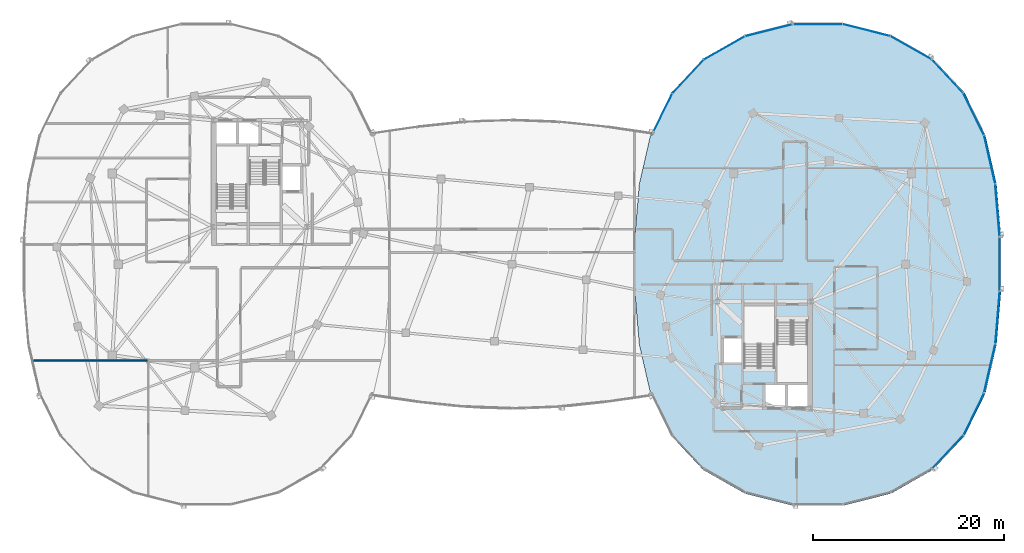
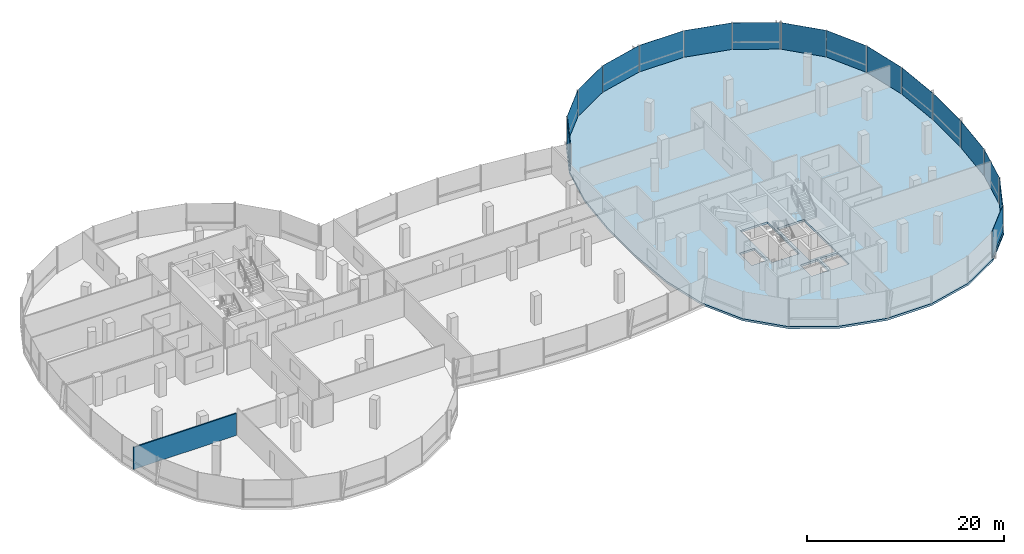
# One storey, part 13 of 25: 16 plates, 1 slab, 1 wall, 3 elements without a shape of their own.
"""IFC4 building model written with IfcOpenShell, lengths in metres."""

from ifc_helpers import new_model, si_unit, direction, frame, frame_2d, origin, origin_2d, place, context, subcontext, project, spatial, polyline, rectangle, outline, extrude, material, layer, layer_set, type_object, element, aggregate, save


model = new_model("IFC4")

# Units and contexts
model_context = context("Model", 3, precision=1e-05, world=origin(), true_north=direction((0.0, 1.0)))
body_context = subcontext(model_context, "Body", "Model", "MODEL_VIEW")
ifc_project = project(units=[si_unit("LENGTHUNIT", "METRE"), si_unit("AREAUNIT", "SQUARE_METRE"), si_unit("VOLUMEUNIT", "CUBIC_METRE"), si_unit("PLANEANGLEUNIT", "RADIAN"), si_unit("MASSUNIT", "GRAM", prefix="KILO"), si_unit("THERMODYNAMICTEMPERATUREUNIT", "KELVIN"), si_unit("POWERUNIT", "WATT")], contexts=[model_context])

# Site, building, storey
site_placement = place(None, origin())
site = spatial("IfcSite", under=ifc_project, at=site_placement, CompositionType="ELEMENT")
building_placement = place(site_placement, origin())
building = spatial("IfcBuilding", under=site, at=building_placement, Name="Cundina Bronze Exchange", CompositionType="ELEMENT")
storey_placement = place(building_placement, frame((0.0, 0.0, 257.60009765625)))
storey = spatial("IfcBuildingStorey", under=building, at=storey_placement, Name="L68", CompositionType="ELEMENT", Elevation=257.60009765625)

# Curtain wall, plates
ifc_material_1 = material(Name="Anodised Bronze Aluminium 6063-T6", Category="aluminium")
curtain_wall_type = type_object("IfcCurtainWallType", Name="CWS-SKG-BRG", PredefinedType="NOTDEFINED", material=ifc_material_1)
curtain_wall_1_placement = place(storey_placement, origin())
curtain_wall_1 = element("IfcCurtainWall", 1, at=curtain_wall_1_placement, inside=storey, type_object=curtain_wall_type, Name="L68 CW-06 Curtain Wall Run CWR-L68-E1", PredefinedType="NOTDEFINED")
ifc_material_2 = material(Name="Heat-Strengthened Solar-Control Bronze Safety Glass 28mm", Category="glass")
ifc_layer_1 = layer(ifc_material_2, 0.028076171875, Name="Heat-Strengthened Solar-Control Bronze Safety Glass 28mm", Category="glass")
ifc_layer_set_1 = layer_set([ifc_layer_1], Name="Heat-Strengthened Solar-Control Bronze Safety Glass 28mm")
plate_type_1 = type_object("IfcPlateType", Name="PLT-GLZ-VIS28", PredefinedType="CURTAIN_PANEL", material=ifc_layer_set_1)
plate_1_placement = place(storey_placement, frame((50.78662109375, 5.605712890625, 0.02001953125), z_axis=(0.0, 0.0, 1.0), x_axis=(-0.083747411454, 0.996487015006, 0.0)))
plate_1 = element("IfcPlate", 2, at=plate_1_placement, type_object=plate_type_1, Name="CW-06 Glazed Panel 1", PredefinedType="CURTAIN_PANEL", context=body_context, shape_type="SweptSolid", body=[
    extrude(rectangle(XDim=5.474609375, YDim=0.028076171875, at=origin_2d()), origin(), (0.0, 0.0, 1.0), 3.300048828125),
])
plate_2_placement = place(storey_placement, frame((48.30126953125, 15.68017578125, 0.02001953125), z_axis=(0.0, 0.0, 1.0), x_axis=(-0.440503330345, 0.897750976582, 0.0)))
plate_2 = element("IfcPlate", 3, at=plate_2_placement, type_object=plate_type_1, Name="CW-06 Glazed Panel 3", PredefinedType="CURTAIN_PANEL", context=body_context, shape_type="SweptSolid", body=[
    extrude(rectangle(XDim=4.863525390625, YDim=0.028076171875, at=origin_2d()), origin(), (0.0, 0.0, 1.0), 3.300048828125),
])
plate_3_placement = place(storey_placement, frame((45.568115234375, 19.64501953125, 0.02001953125), z_axis=(0.0, 0.0, 1.0), x_axis=(-0.684343512797, 0.72915976061, 0.0)))
plate_3 = element("IfcPlate", 4, at=plate_3_placement, type_object=plate_type_1, Name="CW-06 Glazed Panel 4", PredefinedType="CURTAIN_PANEL", context=body_context, shape_type="SweptSolid", body=[
    extrude(rectangle(XDim=4.773193359375, YDim=0.028076171875, at=origin_2d()), origin(), (0.0, 0.0, 1.0), 3.300048828125),
])
plate_4_placement = place(storey_placement, frame((41.76171875, 22.6279296875, 0.02001953125), z_axis=(0.0, 0.0, 1.0), x_axis=(-0.869572506985, 0.493805280547, 0.0)))
plate_4 = element("IfcPlate", 5, at=plate_4_placement, type_object=plate_type_1, Name="CW-06 Glazed Panel 5", PredefinedType="CURTAIN_PANEL", context=body_context, shape_type="SweptSolid", body=[
    extrude(rectangle(XDim=4.907958984375, YDim=0.028076171875, at=origin_2d()), origin(), (0.0, 0.0, 1.0), 3.300048828125),
])
plate_5_placement = place(storey_placement, frame((37.109375, 24.4814453125, 0.02001953125), z_axis=(0.0, 0.0, 1.0), x_axis=(-0.969731542251, 0.244173577528, 0.0)))
plate_5 = element("IfcPlate", 6, at=plate_5_placement, type_object=plate_type_1, Name="CW-06 Glazed Panel 6", PredefinedType="CURTAIN_PANEL", context=body_context, shape_type="SweptSolid", body=[
    extrude(rectangle(XDim=5.0908203125, YDim=0.028076171875, at=origin_2d()), origin(), (0.0, 0.0, 1.0), 3.300048828125),
])

curtain_wall_2_placement = place(storey_placement, origin())
curtain_wall_2 = element("IfcCurtainWall", 7, at=curtain_wall_2_placement, inside=storey, type_object=curtain_wall_type, Name="L68 CW-06 Curtain Wall Run CWR-L68-E2", PredefinedType="NOTDEFINED")
plate_6_placement = place(storey_placement, frame((22.23828125, 22.6279296875, 0.02001953125), z_axis=(0.0, 0.0, 1.0), x_axis=(-0.869572506985, -0.493805280547, 0.0)))
plate_6 = element("IfcPlate", 8, at=plate_6_placement, type_object=plate_type_1, Name="CW-06 Glazed Panel 2", PredefinedType="CURTAIN_PANEL", context=body_context, shape_type="SweptSolid", body=[
    extrude(rectangle(XDim=4.907958984375, YDim=0.028076171875, at=origin_2d()), origin(), (0.0, 0.0, 1.0), 3.300048828125),
])
plate_7_placement = place(storey_placement, frame((18.431884765625, 19.64501953125, 0.02001953125), z_axis=(0.0, 0.0, 1.0), x_axis=(-0.684343512797, -0.72915976061, 0.0)))
plate_7 = element("IfcPlate", 9, at=plate_7_placement, type_object=plate_type_1, Name="CW-06 Glazed Panel 3", PredefinedType="CURTAIN_PANEL", context=body_context, shape_type="SweptSolid", body=[
    extrude(rectangle(XDim=4.773193359375, YDim=0.028076171875, at=origin_2d()), origin(), (0.0, 0.0, 1.0), 3.300048828125),
])
plate_8_placement = place(storey_placement, frame((15.69873046875, 15.68017578125, 0.02001953125), z_axis=(0.0, 0.0, 1.0), x_axis=(-0.440503330345, -0.897750976582, 0.0)))
plate_8 = element("IfcPlate", 10, at=plate_8_placement, type_object=plate_type_1, Name="CW-06 Glazed Panel 4", PredefinedType="CURTAIN_PANEL", context=body_context, shape_type="SweptSolid", body=[
    extrude(rectangle(XDim=4.863525390625, YDim=0.028076171875, at=origin_2d()), origin(), (0.0, 0.0, 1.0), 3.300048828125),
])

curtain_wall_3_placement = place(storey_placement, origin())
curtain_wall_3 = element("IfcCurtainWall", 11, at=curtain_wall_3_placement, inside=storey, type_object=curtain_wall_type, Name="L68 CW-06 Curtain Wall Run CWR-L68-E4", PredefinedType="NOTDEFINED")
plate_9_placement = place(storey_placement, frame((45.568115234375, -19.64501953125, 0.02001953125), z_axis=(0.0, 0.0, 1.0), x_axis=(0.684343512797, 0.72915976061, 0.0)))
plate_9 = element("IfcPlate", 12, at=plate_9_placement, type_object=plate_type_1, Name="CW-06 Glazed Panel 1", PredefinedType="CURTAIN_PANEL", context=body_context, shape_type="SweptSolid", body=[
    extrude(rectangle(XDim=4.773193359375, YDim=0.028076171875, at=origin_2d()), origin(), (0.0, 0.0, 1.0), 3.300048828125),
])
plate_10_placement = place(storey_placement, frame((48.30126953125, -15.68017578125, 0.02001953125), z_axis=(0.0, 0.0, 1.0), x_axis=(0.440503330345, 0.897750976582, 0.0)))
plate_10 = element("IfcPlate", 13, at=plate_10_placement, type_object=plate_type_1, Name="CW-06 Glazed Panel 2", PredefinedType="CURTAIN_PANEL", context=body_context, shape_type="SweptSolid", body=[
    extrude(rectangle(XDim=4.863525390625, YDim=0.028076171875, at=origin_2d()), origin(), (0.0, 0.0, 1.0), 3.300048828125),
])
plate_11_placement = place(storey_placement, frame((49.96923828125, -10.922607421875, 0.02001953125), z_axis=(0.0, 0.0, 1.0), x_axis=(0.223284141459, 0.974753400698, 0.0)))
plate_11 = element("IfcPlate", 14, at=plate_11_placement, type_object=plate_type_1, Name="CW-06 Glazed Panel 3", PredefinedType="CURTAIN_PANEL", context=body_context, shape_type="SweptSolid", body=[
    extrude(rectangle(XDim=5.167724609375, YDim=0.028076171875, at=origin_2d()), origin(), (0.0, 0.0, 1.0), 3.300048828125),
])
plate_12_placement = place(storey_placement, frame((51.01904296875, 0.0, 0.02001953125), z_axis=(0.0, 0.0, 1.0), x_axis=(0.0, 1.0, 0.0)))
plate_12 = element("IfcPlate", 15, at=plate_12_placement, type_object=plate_type_1, Name="CW-06 Glazed Panel 5", PredefinedType="CURTAIN_PANEL", context=body_context, shape_type="SweptSolid", body=[
    extrude(rectangle(XDim=5.597900390625, YDim=0.028076171875, at=origin_2d()), origin(), (0.0, 0.0, 1.0), 3.300048828125),
])

# Plate
ifc_material_3 = material(Name="Dark Bronze Spandrel Glass Panel 32mm", Category="glass")
ifc_layer_2 = layer(ifc_material_3, 0.031982421875, Name="Dark Bronze Spandrel Glass Panel 32mm", Category="glass")
ifc_layer_set_2 = layer_set([ifc_layer_2], Name="Dark Bronze Spandrel Glass Panel 32mm")
plate_type_2 = type_object("IfcPlateType", Name="PLT-SPN-BRZ32", PredefinedType="CURTAIN_PANEL", material=ifc_layer_set_2)
plate_13_placement = place(storey_placement, frame((49.96923828125, 10.922607421875, 0.02001953125), z_axis=(0.0, 0.0, 1.0), x_axis=(-0.223284141459, 0.974753400698, 0.0)))
plate_13 = element("IfcPlate", 16, at=plate_13_placement, type_object=plate_type_2, Name="CW-06 Glazed Panel 2", PredefinedType="CURTAIN_PANEL", context=body_context, shape_type="SweptSolid", body=[
    extrude(rectangle(XDim=5.167724609375, YDim=0.031982421875, at=origin_2d()), origin(), (0.0, 0.0, 1.0), 3.300048828125),
])

plate_14_placement = place(storey_placement, frame((32.0, 25.110107421875, 0.02001953125), z_axis=(0.0, 0.0, 1.0), x_axis=(-1.0, 0.0, 0.0)))
plate_14 = element("IfcPlate", 17, at=plate_14_placement, type_object=plate_type_2, Name="CW-06 Glazed Panel 7", PredefinedType="CURTAIN_PANEL", context=body_context, shape_type="SweptSolid", body=[
    extrude(rectangle(XDim=5.16796875, YDim=0.031982421875, at=origin_2d()), origin(), (0.0, 0.0, 1.0), 3.300048828125),
])

aggregate(curtain_wall_1, [plate_1, plate_13, plate_2, plate_3, plate_4, plate_5, plate_14])

plate_15_placement = place(storey_placement, frame((26.890625, 24.4814453125, 0.02001953125), z_axis=(0.0, 0.0, 1.0), x_axis=(-0.969731542251, -0.244173577528, 0.0)))
plate_15 = element("IfcPlate", 18, at=plate_15_placement, type_object=plate_type_2, Name="CW-06 Glazed Panel 1", PredefinedType="CURTAIN_PANEL", context=body_context, shape_type="SweptSolid", body=[
    extrude(rectangle(XDim=5.0908203125, YDim=0.031982421875, at=origin_2d()), origin(), (0.0, 0.0, 1.0), 3.300048828125),
])

aggregate(curtain_wall_2, [plate_15, plate_6, plate_7, plate_8])

plate_16_placement = place(storey_placement, frame((50.78662109375, -5.605712890625, 0.02001953125), z_axis=(0.0, 0.0, 1.0), x_axis=(0.083747411454, 0.996487015006, 0.0)))
plate_16 = element("IfcPlate", 19, at=plate_16_placement, type_object=plate_type_2, Name="CW-06 Glazed Panel 4", PredefinedType="CURTAIN_PANEL", context=body_context, shape_type="SweptSolid", body=[
    extrude(rectangle(XDim=5.474609375, YDim=0.031982421875, at=origin_2d()), origin(), (0.0, 0.0, 1.0), 3.300048828125),
])

aggregate(curtain_wall_3, [plate_9, plate_10, plate_11, plate_16, plate_12])

# Slab
ifc_material_4 = material(Name="Concrete C50/60", Category="concrete")
ifc_layer_3 = layer(ifc_material_4, 0.260009765625, Name="Concrete C50/60", Category="concrete")
ifc_layer_set_3 = layer_set([ifc_layer_3], Name="Concrete C50/60")
slab_type = type_object("IfcSlabType", Name="SLB-OFF-260", PredefinedType="FLOOR", material=ifc_layer_set_3)
slab_placement = place(storey_placement, frame((0.0, 0.0, -0.260009765625)))
element("IfcSlab", 20, at=slab_placement, inside=storey, type_object=slab_type, Name="L68 Leg E Structural Floor Slab", PredefinedType="FLOOR", context=body_context, shape_type="SweptSolid", body=[
    extrude(outline(polyline([(51.14892578125, 2.843994140625), (50.68310546875, 8.388916015625), (49.509033203125, 13.513916015625), (47.326904296875, 17.9609375), (43.9990234375, 21.507080078125), (39.653076171875, 23.97509765625), (34.62890625, 25.239990234375), (29.37109375, 25.239990234375), (24.346923828125, 23.97509765625), (20.0009765625, 21.507080078125), (16.673095703125, 17.9609375), (14.490966796875, 13.513916015625), (13.31689453125, 8.388916015625), (12.85107421875, 2.843994140625), (12.85107421875, -2.843994140625), (13.31689453125, -8.388916015625), (14.490966796875, -13.513916015625), (16.673095703125, -17.9609375), (20.0009765625, -21.507080078125), (24.346923828125, -23.97509765625), (29.37109375, -25.239990234375), (34.62890625, -25.239990234375), (39.653076171875, -23.97509765625), (43.9990234375, -21.507080078125), (47.326904296875, -17.9609375), (49.509033203125, -13.513916015625), (50.68310546875, -8.388916015625), (51.14892578125, -2.843994140625), (51.14892578125, 2.843994140625)]), holes=[polyline([(27.739990234375, -5.85009765625), (27.739990234375, -12.35009765625), (30.89990234375, -12.35009765625), (30.89990234375, -5.85009765625), (27.739990234375, -5.85009765625)]), polyline([(27.43994140625, -10.85009765625), (27.43994140625, -4.35009765625), (24.280029296875, -4.35009765625), (24.280029296875, -10.85009765625), (27.43994140625, -10.85009765625)]), polyline([(22.179931640625, -7.75), (23.97998046875, -7.75), (23.97998046875, -10.25), (22.179931640625, -10.25), (22.179931640625, -7.75)]), polyline([(28.85009765625, -12.64990234375), (30.89990234375, -12.64990234375), (30.89990234375, -14.949951171875), (28.85009765625, -14.949951171875), (28.85009765625, -12.64990234375)]), polyline([(26.5, -12.64990234375), (28.550048828125, -12.64990234375), (28.550048828125, -14.949951171875), (26.5, -14.949951171875), (26.5, -12.64990234375)])]), origin(), (0.0, 0.0, 1.0), 0.260009765625),
])

# Wall
ifc_material_5 = material(Name="Gypsum Acoustic Partition EI60")
ifc_layer_4 = layer(ifc_material_5, 0.14990234375, Name="Gypsum Acoustic Partition EI60")
ifc_layer_set_4 = layer_set([ifc_layer_4], Name="Gypsum Acoustic Partition EI60")
wall_type = type_object("IfcWallType", Name="WL-TEN-150", PredefinedType="PARTITIONING", material=ifc_layer_set_4)
wall_placement = place(storey_placement, frame((-50.244873046875, -10.080078125, 0.0), z_axis=(0.0, 0.0, 1.0), x_axis=(1.0, 0.0, 0.0)))
element("IfcWall", 21, at=wall_placement, inside=storey, type_object=wall_type, Name="L68 Interior Partition 015", PredefinedType="PARTITIONING", context=body_context, shape_type="SweptSolid", body=[
    extrude(rectangle(XDim=12.079833984375, YDim=0.14990234375, at=frame_2d((6.0400390625, 0.0))), origin(), (0.0, 0.0, 1.0), 2.723876953125),
])

save(model, "model.ifc")
